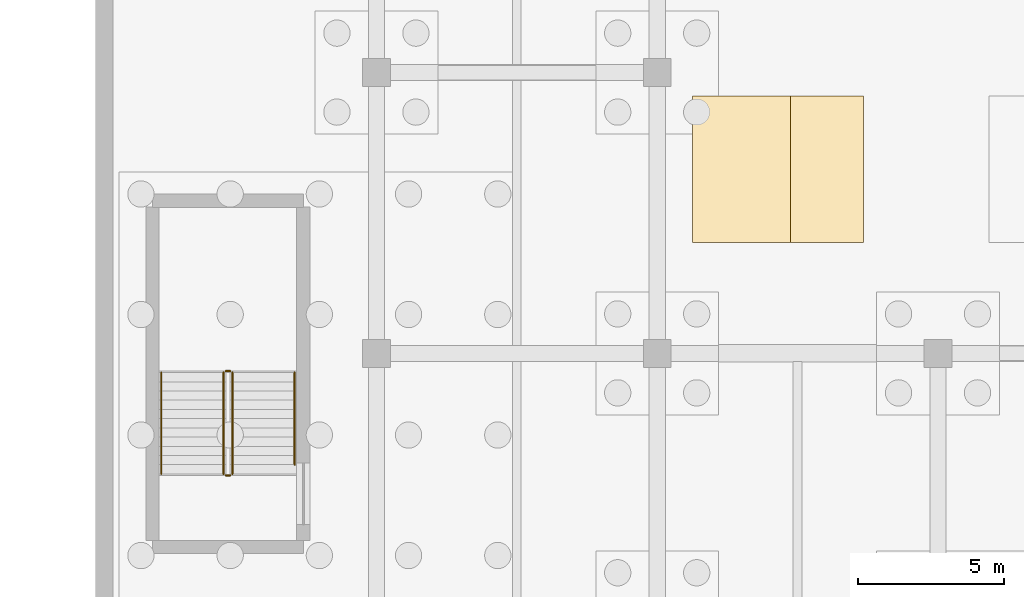
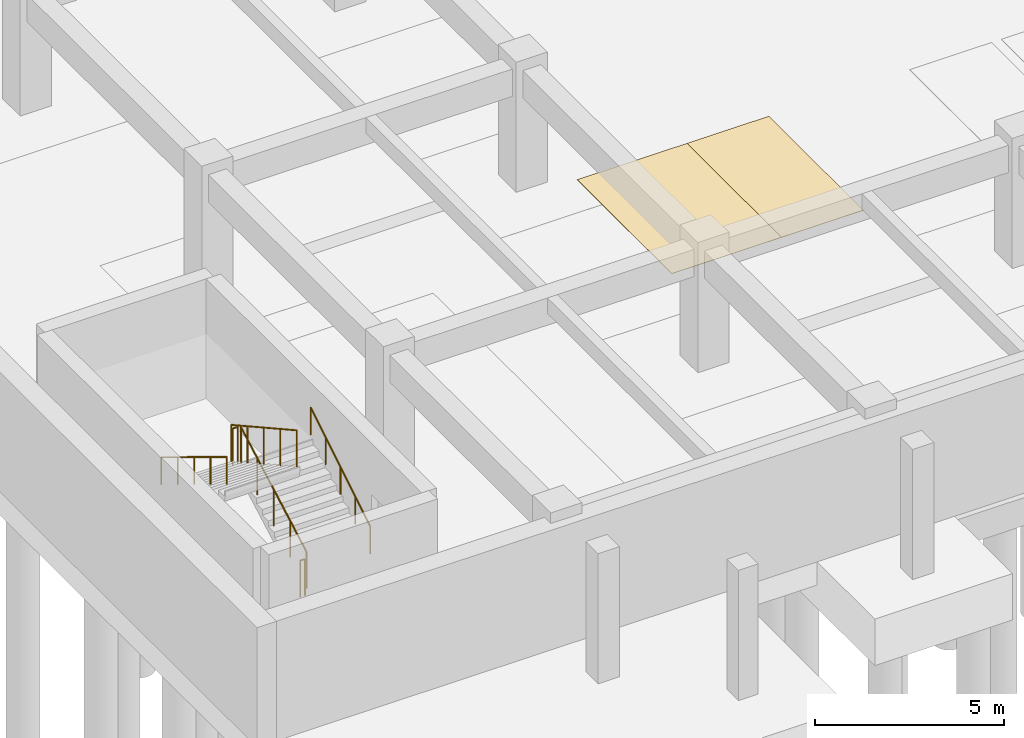
# One storey, part 27 of 39: 6 railings, 2 coverings.
"""IFC4 building model written with IfcOpenShell, lengths in metres."""

from ifc_helpers import new_model, si_unit, direction, frame, origin, origin_2d, place, context, subcontext, project, spatial, polyline, circle, outline, extrude, material, layer, layer_set, type_object, element, save


model = new_model("IFC4")

# Units and contexts
model_context = context("Model", 3, precision=1e-05, world=origin(), true_north=direction((0.0, 1.0)))
body_context = subcontext(model_context, "Body", "Model", "MODEL_VIEW")
ifc_project = project(units=[si_unit("LENGTHUNIT", "METRE"), si_unit("AREAUNIT", "SQUARE_METRE"), si_unit("VOLUMEUNIT", "CUBIC_METRE"), si_unit("PLANEANGLEUNIT", "RADIAN"), si_unit("MASSUNIT", "GRAM", prefix="KILO")], contexts=[model_context])

# Site, building, storey
site_placement = place(None, origin())
site = spatial("IfcSite", under=ifc_project, at=site_placement, CompositionType="ELEMENT")
building_placement = place(site_placement, origin())
building = spatial("IfcBuilding", under=site, at=building_placement, Name="Nakhvara Creek Congress Hotel", CompositionType="ELEMENT")
storey_placement = place(building_placement, frame((0.0, 0.0, -8.39990234375)))
storey = spatial("IfcBuildingStorey", under=building, at=storey_placement, Name="B2", CompositionType="ELEMENT", Elevation=-8.39990234375)

# Coverings
ifc_material_1 = material(Name="Thermoplastic reflective parking bay marking")
ifc_layer = layer(ifc_material_1, 0.014892578125)
ifc_layer_set = layer_set([ifc_layer], Name="Thermoplastic reflective parking bay marking")
covering_type = type_object("IfcCoveringType", Name="COV-PARK-MRK", PredefinedType="USERDEFINED", material=ifc_layer_set)
covering_1_placement = place(storey_placement, frame((0.0, 0.0, 0.0078125)))
element("IfcCovering", 1, at=covering_1_placement, inside=storey, type_object=covering_type, Name="Accessible Parking Bay B2-01", ObjectType="ROAD_MARKING", PredefinedType="USERDEFINED", context=body_context, shape_type="SweptSolid", body=[
    extrude(outline(polyline([(78.0, 13.39990234375), (81.60009765625, 13.39990234375), (81.60009765625, 18.39990234375), (78.0, 18.39990234375), (78.0, 13.39990234375)])), origin(), (0.0, 0.0, 1.0), 0.01220703125),
])
covering_2_placement = place(storey_placement, frame((0.0, 0.0, 0.0078125)))
element("IfcCovering", 2, at=covering_2_placement, inside=storey, type_object=covering_type, Name="Parking Bay Demarcation B2-003", ObjectType="ROAD_MARKING", PredefinedType="USERDEFINED", context=body_context, shape_type="SweptSolid", body=[
    extrude(outline(polyline([(81.35009765625, 13.39990234375), (83.85009765625, 13.39990234375), (83.85009765625, 18.39990234375), (81.35009765625, 18.39990234375), (81.35009765625, 13.39990234375)])), origin(), (0.0, 0.0, 1.0), 0.01220703125),
])

# Railings
ifc_material_2 = material(Name="Brushed stainless steel 316L", Category="steel")
railing_type_1 = type_object("IfcRailingType", Name="RL-GUARD-1200", PredefinedType="GUARDRAIL", material=ifc_material_2)
railing_1_placement = place(storey_placement, frame((62.27490234375, 5.47998046875, 0.1748046875)))
element("IfcRailing", 3, at=railing_1_placement, inside=storey, type_object=railing_type_1, Name="B2 ST11 stair guard 1", PredefinedType="GUARDRAIL", context=body_context, shape_type="SweptSolid", body=[
    extrude(circle(Radius=0.02392578125, at=origin_2d()), frame((0.0, 0.012939453125, 1.18310546875), z_axis=(0.0, 0.874157276122, 0.485642931179), x_axis=(-1.0, 0.0, 0.0)), (0.0, 0.0, 1.0), 3.9345703125),
    extrude(circle(Radius=0.02099609375, at=origin_2d()), origin(), (0.0, 0.0, 1.0), 1.1806640625),
    extrude(circle(Radius=0.02099609375, at=origin_2d()), frame((0.0, 0.8662109375, 0.481201171875)), (0.0, 0.0, 1.0), 1.1806640625),
    extrude(circle(Radius=0.02099609375, at=origin_2d()), frame((0.0, 1.732421875, 0.96240234375)), (0.0, 0.0, 1.0), 1.1806640625),
    extrude(circle(Radius=0.02099609375, at=origin_2d()), frame((0.0, 2.598876953125, 1.44384765625)), (0.0, 0.0, 1.0), 1.1806640625),
    extrude(circle(Radius=0.02099609375, at=origin_2d()), frame((0.0, 3.465087890625, 1.925048828125)), (0.0, 0.0, 1.0), 1.1806640625),
])
railing_2_placement = place(storey_placement, frame((62.199951171875, 8.9951171875, 2.099853515625)))
element("IfcRailing", 4, at=railing_2_placement, inside=storey, type_object=railing_type_1, Name="B2 ST11 stair guard 2", PredefinedType="GUARDRAIL", context=body_context, shape_type="SweptSolid", body=[
    extrude(circle(Radius=0.02392578125, at=origin_2d()), frame((-0.0146484375, 0.0, 1.17578125), z_axis=(-1.0, 0.0, 0.0), x_axis=(0.0, -1.0, 0.0)), (0.0, 0.0, 1.0), 0.12060546875),
    extrude(circle(Radius=0.02099609375, at=origin_2d()), origin(), (0.0, 0.0, 1.0), 1.1806640625),
    extrude(circle(Radius=0.02099609375, at=origin_2d()), frame((-0.14990234375, 0.0, 0.0)), (0.0, 0.0, 1.0), 1.1806640625),
])
railing_3_placement = place(storey_placement, frame((61.97509765625, 8.945068359375, 2.27490234375)))
element("IfcRailing", 5, at=railing_3_placement, inside=storey, type_object=railing_type_1, Name="B2 ST11 stair guard 3", PredefinedType="GUARDRAIL", context=body_context, shape_type="SweptSolid", body=[
    extrude(circle(Radius=0.02392578125, at=origin_2d()), frame((0.0, -0.012939453125, 1.18310546875), z_axis=(0.0, -0.874157276122, 0.485642931179), x_axis=(1.0, 0.0, 0.0)), (0.0, 0.0, 1.0), 3.9345703125),
    extrude(circle(Radius=0.02099609375, at=origin_2d()), origin(), (0.0, 0.0, 1.0), 1.1806640625),
    extrude(circle(Radius=0.02099609375, at=origin_2d()), frame((0.0, -0.8662109375, 0.481201171875)), (0.0, 0.0, 1.0), 1.1806640625),
    extrude(circle(Radius=0.02099609375, at=origin_2d()), frame((0.0, -1.732421875, 0.96240234375)), (0.0, 0.0, 1.0), 1.1806640625),
    extrude(circle(Radius=0.02099609375, at=origin_2d()), frame((0.0, -2.598876953125, 1.44384765625)), (0.0, 0.0, 1.0), 1.1806640625),
    extrude(circle(Radius=0.02099609375, at=origin_2d()), frame((0.0, -3.465087890625, 1.925048828125)), (0.0, 0.0, 1.0), 1.1806640625),
])
railing_4_placement = place(storey_placement, frame((62.199951171875, 5.429931640625, 0.0)))
element("IfcRailing", 6, at=railing_4_placement, inside=storey, type_object=railing_type_1, Name="B2 ST11 stair guard 4", PredefinedType="GUARDRAIL", context=body_context, shape_type="SweptSolid", body=[
    extrude(circle(Radius=0.02392578125, at=origin_2d()), frame((-0.0146484375, 0.0, 1.17578125), z_axis=(-1.0, 0.0, 0.0), x_axis=(0.0, -1.0, 0.0)), (0.0, 0.0, 1.0), 0.12060546875),
    extrude(circle(Radius=0.02099609375, at=origin_2d()), origin(), (0.0, 0.0, 1.0), 1.1806640625),
    extrude(circle(Radius=0.02099609375, at=origin_2d()), frame((-0.14990234375, 0.0, 0.0)), (0.0, 0.0, 1.0), 1.1806640625),
])
railing_type_2 = type_object("IfcRailingType", Name="RL-HAND-900", PredefinedType="HANDRAIL", material=ifc_material_2)
railing_5_placement = place(storey_placement, frame((64.405029296875, 5.794921875, 0.349853515625)))
element("IfcRailing", 7, at=railing_5_placement, inside=storey, type_object=railing_type_2, Name="B2 ST11 stair handrail 1", PredefinedType="HANDRAIL", context=body_context, shape_type="SweptSolid", body=[
    extrude(circle(Radius=0.02392578125, at=origin_2d()), frame((0.0, 0.012451171875, 0.883544921875), z_axis=(0.0, 0.851961960065, 0.523603684672), x_axis=(-1.0, 0.0, 0.0)), (0.0, 0.0, 1.0), 3.668212890625),
    extrude(circle(Radius=0.02099609375, at=origin_2d()), origin(), (0.0, 0.0, 1.0), 0.880615234375),
    extrude(circle(Radius=0.02099609375, at=origin_2d()), frame((0.0, 0.78759765625, 0.48388671875)), (0.0, 0.0, 1.0), 0.880615234375),
    extrude(circle(Radius=0.02099609375, at=origin_2d()), frame((0.0, 1.5751953125, 0.968017578125)), (0.0, 0.0, 1.0), 0.880615234375),
    extrude(circle(Radius=0.02099609375, at=origin_2d()), frame((0.0, 2.362548828125, 1.4521484375)), (0.0, 0.0, 1.0), 0.880615234375),
    extrude(circle(Radius=0.02099609375, at=origin_2d()), frame((0.0, 3.150146484375, 1.93603515625)), (0.0, 0.0, 1.0), 0.880615234375),
])
railing_6_placement = place(storey_placement, frame((59.844970703125, 8.945068359375, 2.27490234375)))
element("IfcRailing", 8, at=railing_6_placement, inside=storey, type_object=railing_type_2, Name="B2 ST11 stair handrail 2", PredefinedType="HANDRAIL", context=body_context, shape_type="SweptSolid", body=[
    extrude(circle(Radius=0.02392578125, at=origin_2d()), frame((0.0, -0.012451171875, 0.883544921875), z_axis=(0.0, -0.853990507121, 0.520288586985), x_axis=(1.0, 0.0, 0.0)), (0.0, 0.0, 1.0), 4.028076171875),
    extrude(circle(Radius=0.02099609375, at=origin_2d()), origin(), (0.0, 0.0, 1.0), 0.880615234375),
    extrude(circle(Radius=0.02099609375, at=origin_2d()), frame((0.0, -0.8662109375, 0.52783203125)), (0.0, 0.0, 1.0), 0.880615234375),
    extrude(circle(Radius=0.02099609375, at=origin_2d()), frame((0.0, -1.732421875, 1.0556640625)), (0.0, 0.0, 1.0), 0.880615234375),
    extrude(circle(Radius=0.02099609375, at=origin_2d()), frame((0.0, -2.598876953125, 1.583251953125)), (0.0, 0.0, 1.0), 0.880615234375),
    extrude(circle(Radius=0.02099609375, at=origin_2d()), frame((0.0, -3.465087890625, 2.111083984375)), (0.0, 0.0, 1.0), 0.880615234375),
])

save(model, "model.ifc")
